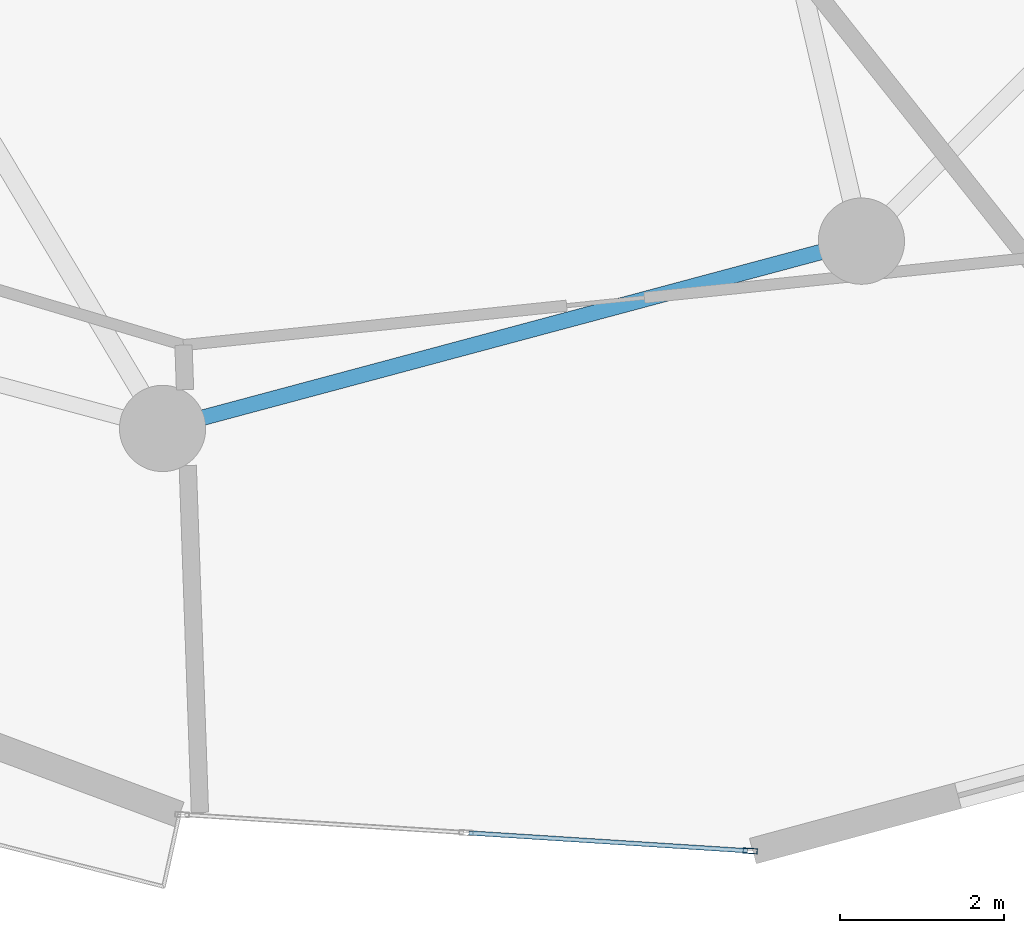
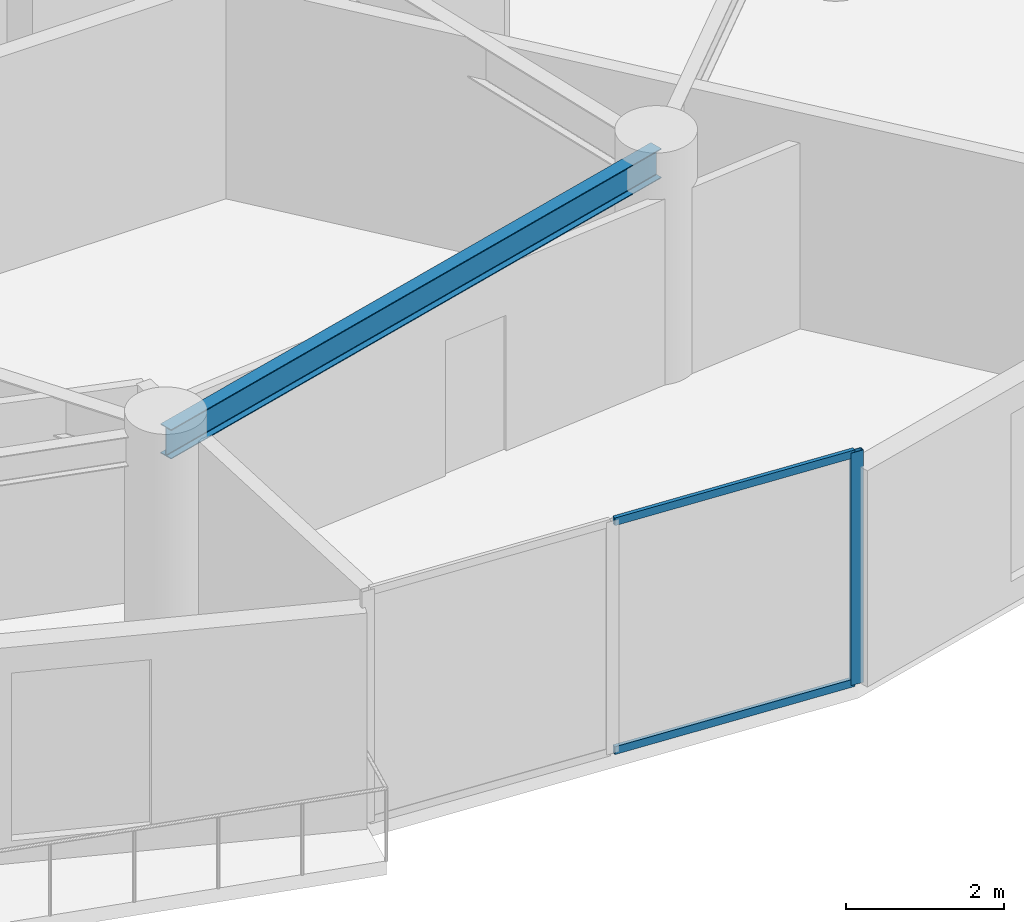
# One storey, part 3 of 21: 3 members, 1 beam, 1 element without a shape of its own.
"""IFC4 building model written with IfcOpenShell, lengths in metres."""

from ifc_helpers import new_model, si_unit, direction, frame, origin, origin_2d, place, context, subcontext, project, spatial, hollow_rectangle, i_section, extrude, source, transform, mapped, material, layer, layer_set, material_profile, profile_set, type_object, element, aggregate, save


model = new_model("IFC4")

# Units and contexts
model_context = context("Model", 3, precision=1e-05, world=origin(), true_north=direction((0.0, 1.0)))
body_context = subcontext(model_context, "Body", "Model", "MODEL_VIEW")
ifc_project = project(units=[si_unit("LENGTHUNIT", "METRE"), si_unit("AREAUNIT", "SQUARE_METRE"), si_unit("VOLUMEUNIT", "CUBIC_METRE"), si_unit("PLANEANGLEUNIT", "RADIAN"), si_unit("MASSUNIT", "GRAM", prefix="KILO")], contexts=[model_context])

# Site, building, storey
site_placement = place(None, origin())
site = spatial("IfcSite", under=ifc_project, at=site_placement, CompositionType="ELEMENT")
building_placement = place(site_placement, origin())
building = spatial("IfcBuilding", under=site, at=building_placement, Name="Solvirekh Grand Hotel", CompositionType="ELEMENT")
storey_placement = place(building_placement, frame((0.0, 0.0, 142.199951171875)))
storey = spatial("IfcBuildingStorey", under=building, at=storey_placement, Name="L36", CompositionType="ELEMENT", Elevation=142.199951171875)

# Beam
ifc_material_1 = material(Name="Steel S355", Category="steel")
ifc_material_profile_1 = material_profile(ifc_material_1, i_section(OverallWidth=0.18994140625, OverallDepth=0.45703125, WebThickness=0.009033203125, FlangeThickness=0.013916015625, FilletRadius=0.012939453125, at=origin_2d()), Name="W460X74")
ifc_profile_set_1 = profile_set([ifc_material_profile_1], Name="Steel S355")
beam_type = type_object("IfcBeamType", Name="Spandrel_Ring_W460", PredefinedType="SPANDREL", material=ifc_profile_set_1)
beam_placement = place(storey_placement, frame((0.0, -17.0, 3.1220703125), z_axis=(0.965911391906, 0.258872908946, 0.0), x_axis=(-0.258872908946, 0.965911391906, 0.0)))
element("IfcBeam", 1, at=beam_placement, inside=storey, type_object=beam_type, Name="L36 perimeter spandrel beam 10", PredefinedType="SPANDREL", context=body_context, shape_type="SweptSolid", body=[
    extrude(i_section(OverallWidth=0.18994140625, OverallDepth=0.45703125, WebThickness=0.009033203125, FlangeThickness=0.013916015625, FilletRadius=0.012939453125, at=origin_2d()), origin(), (0.0, 0.0, 1.0), 8.800048828125),
])

# Curtain wall, members
ifc_material_2 = material(Name="Anodized Bronze Aluminium 6063-T6", Category="aluminium")
ifc_layer = layer(ifc_material_2, 0.175048828125)
ifc_layer_set = layer_set([ifc_layer], Name="Anodized Bronze Aluminium 6063-T6")
curtain_wall_type = type_object("IfcCurtainWallType", Name="CW_Sys3_MidZoneFlushBronzeCW", PredefinedType="NOTDEFINED", material=ifc_layer_set)
curtain_wall_placement = place(storey_placement, origin())
curtain_wall = element("IfcCurtainWall", 2, at=curtain_wall_placement, inside=storey, type_object=curtain_wall_type, Name="L36 unitised bronze-glass curtain wall CW-L36-C18", PredefinedType="NOTDEFINED")
ifc_material_profile_2 = material_profile(ifc_material_2, hollow_rectangle(XDim=0.054931640625, YDim=0.1201171875, WallThickness=0.00390625, at=origin_2d()), Name="ALU RHS 120X55X4")
ifc_profile_set_2 = profile_set([ifc_material_profile_2], Name="Anodized Bronze Aluminium 6063-T6")
member_type_1 = type_object("IfcMemberType", Name="CWTransom_Sys3", PredefinedType="USERDEFINED", material=ifc_profile_set_2)
shared_shape_1 = source(origin(), body_context, "Body", "SweptSolid", [
    extrude(hollow_rectangle(XDim=0.054931640625, YDim=0.1201171875, WallThickness=0.00390625, at=origin_2d()), origin(), (0.0, 0.0, 1.0), 3.397216796875),
])
member_1_placement = place(storey_placement, frame((3.724853515625, -21.920166015625, 0.027587890625), z_axis=(0.997961786346, -0.063814363525, 0.0), x_axis=(0.063814363525, 0.997961786346, 0.0)))
member_1 = element("IfcMember", 3, at=member_1_placement, type_object=member_type_1, Name="U03 transom 2.1", ObjectType="TRANSOM", PredefinedType="USERDEFINED", context=body_context, shape_type="MappedRepresentation", body=[
    mapped(shared_shape_1, transform((0.0, 0.0, 0.0), x_axis=(1.0, 0.0, 0.0), y_axis=(0.0, 1.0, 0.0), z_axis=(0.0, 0.0, 1.0), scale=1.0)),
])
member_2_placement = place(storey_placement, frame((3.724853515625, -21.920166015625, 3.572509765625), z_axis=(0.997961786346, -0.063814363525, 0.0), x_axis=(0.063814363525, 0.997961786346, 0.0)))
member_2 = element("IfcMember", 4, at=member_2_placement, type_object=member_type_1, Name="U03 transom 2.2", ObjectType="TRANSOM", PredefinedType="USERDEFINED", context=body_context, shape_type="MappedRepresentation", body=[
    mapped(shared_shape_1, transform((0.0, 0.0, 0.0), x_axis=(1.0, 0.0, 0.0), y_axis=(0.0, 1.0, 0.0), z_axis=(0.0, 0.0, 1.0), scale=1.0)),
])
ifc_material_profile_3 = material_profile(ifc_material_2, hollow_rectangle(XDim=0.06494140625, YDim=0.175048828125, WallThickness=0.0048828125, at=origin_2d()), Name="ALU RHS 175X65X5")
ifc_profile_set_3 = profile_set([ifc_material_profile_3], Name="Anodized Bronze Aluminium 6063-T6")
member_type_2 = type_object("IfcMemberType", Name="CWMullion_Sys3", PredefinedType="MULLION", material=ifc_profile_set_3)
shared_shape_2 = source(origin(), body_context, "Body", "SweptSolid", [
    extrude(hollow_rectangle(XDim=0.06494140625, YDim=0.175048828125, WallThickness=0.0048828125, at=origin_2d()), origin(), (0.0, 0.0, 1.0), 3.60009765625),
])
member_3_placement = place(storey_placement, frame((7.1474609375, -22.138916015625, 0.0), z_axis=(0.0, 0.0, 1.0), x_axis=(0.063812331854, 0.997961916259, 0.0)))
member_3 = element("IfcMember", 5, at=member_3_placement, type_object=member_type_2, Name="U03 mullion 3", PredefinedType="MULLION", context=body_context, shape_type="MappedRepresentation", body=[
    mapped(shared_shape_2, transform((0.0, 0.0, 0.0), x_axis=(1.0, 0.0, 0.0), y_axis=(0.0, 1.0, 0.0), z_axis=(0.0, 0.0, 1.0), scale=1.0)),
])
aggregate(curtain_wall, [member_3, member_1, member_2])

save(model, "model.ifc")
